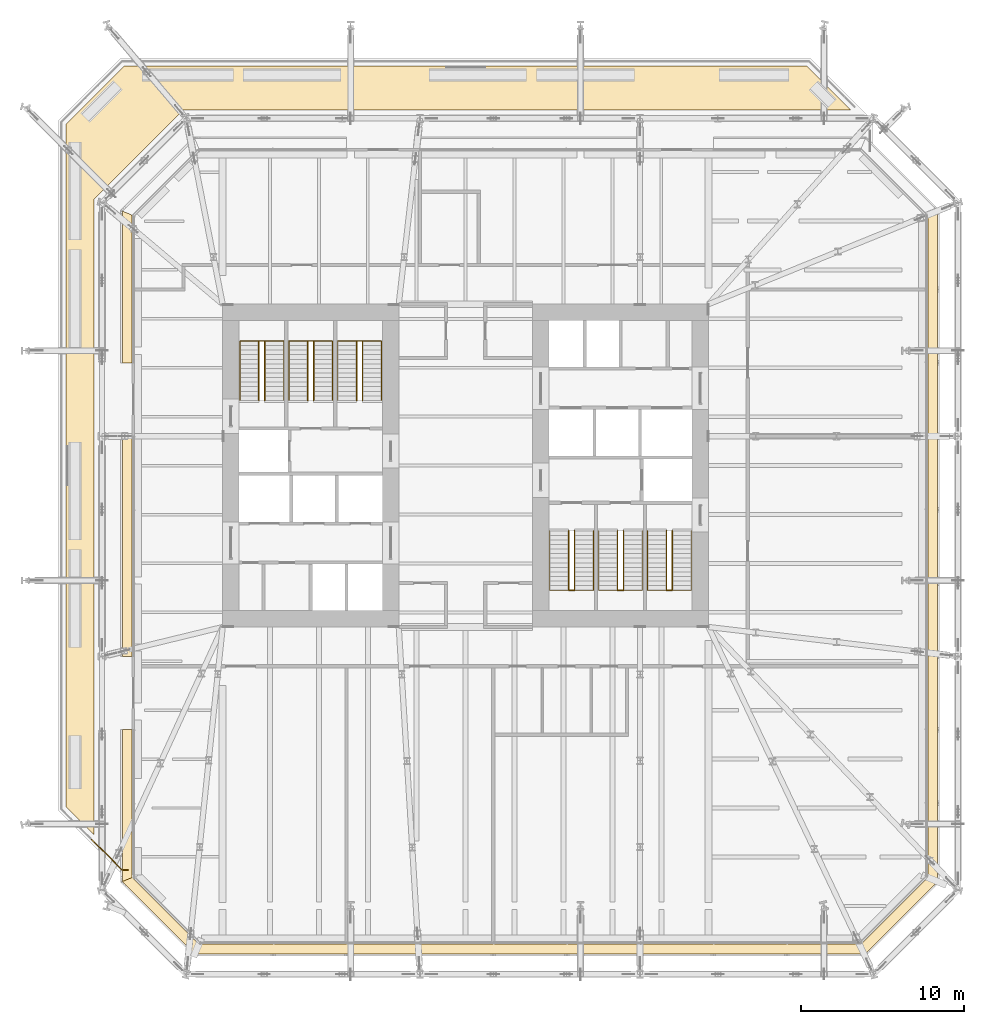
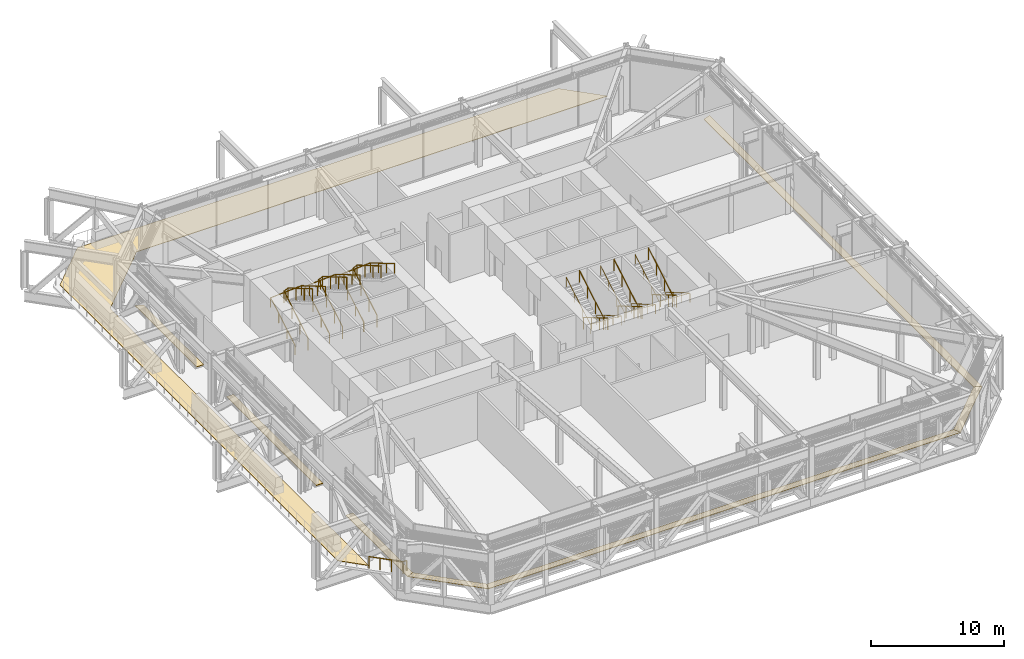
# One storey, part 27 of 29: 13 railings, 8 coverings.
"""IFC4 building model written with IfcOpenShell, lengths in metres."""

from ifc_helpers import new_model, si_unit, direction, frame, origin, origin_2d, place, context, subcontext, project, spatial, polyline, circle, outline, extrude, material, layer, layer_set, type_object, element, save


model = new_model("IFC4")

# Units and contexts
model_context = context("Model", 3, precision=1e-05, world=origin(), true_north=direction((0.0, 1.0)))
body_context = subcontext(model_context, "Body", "Model", "MODEL_VIEW")
ifc_project = project(units=[si_unit("LENGTHUNIT", "METRE"), si_unit("AREAUNIT", "SQUARE_METRE"), si_unit("VOLUMEUNIT", "CUBIC_METRE"), si_unit("PLANEANGLEUNIT", "RADIAN"), si_unit("MASSUNIT", "GRAM", prefix="KILO")], contexts=[model_context])

# Site, building, storey
site_placement = place(None, origin())
site = spatial("IfcSite", under=ifc_project, at=site_placement, CompositionType="ELEMENT")
building_placement = place(site_placement, origin())
building = spatial("IfcBuilding", under=site, at=building_placement, Name="Millrace Tower", CompositionType="ELEMENT")
storey_placement = place(building_placement, frame((0.0, 0.0, 68.60009765625)))
storey = spatial("IfcBuildingStorey", under=building, at=storey_placement, Name="L15", CompositionType="ELEMENT", Elevation=68.60009765625)

# Coverings
ifc_material_1 = material(Name="Steel ASTM A36", Category="steel")
ifc_layer_1 = layer(ifc_material_1, 0.050048828125)
ifc_layer_set_1 = layer_set([ifc_layer_1], Name="Steel ASTM A36")
covering_type_1 = type_object("IfcCoveringType", Name="CAVITY CATWALK steel grating", PredefinedType="FLOORING", material=ifc_layer_set_1)
placement = place(storey_placement, frame((0.0, 0.0, 0.099853515625)))
element("IfcCovering", 1, at=placement, inside=storey, type_object=covering_type_1, Name="Cavity catwalk grating B-F01 L15 1", PredefinedType="FLOORING", context=body_context, shape_type="SweptSolid", body=[
    extrude(outline(polyline([(-21.050048828125, -25.5107421875), (-16.610595703125, -29.949951171875), (-16.362060546875, -29.35009765625), (-20.449951171875, -25.26220703125), (-21.050048828125, -25.5107421875)])), origin(), (0.0, 0.0, 1.0), 0.050048828125),
])
element("IfcCovering", 2, at=placement, inside=storey, type_object=covering_type_1, Name="Cavity catwalk grating B-F02 L15 1", PredefinedType="FLOORING", context=body_context, shape_type="SweptSolid", body=[
    extrude(outline(polyline([(-16.610595703125, -29.949951171875), (24.5107421875, -29.949951171875), (24.26220703125, -29.35009765625), (-16.362060546875, -29.35009765625), (-16.610595703125, -29.949951171875)])), origin(), (0.0, 0.0, 1.0), 0.050048828125),
])
element("IfcCovering", 3, at=placement, inside=storey, type_object=covering_type_1, Name="Cavity catwalk grating B-F03 L15 1", PredefinedType="FLOORING", context=body_context, shape_type="SweptSolid", body=[
    extrude(outline(polyline([(24.5107421875, -29.949951171875), (28.949951171875, -25.5107421875), (28.35009765625, -25.26220703125), (24.26220703125, -29.35009765625), (24.5107421875, -29.949951171875)])), origin(), (0.0, 0.0, 1.0), 0.050048828125),
])
element("IfcCovering", 4, at=placement, inside=storey, type_object=covering_type_1, Name="Cavity catwalk grating B-F04 L15 1", PredefinedType="FLOORING", context=body_context, shape_type="SweptSolid", body=[
    extrude(outline(polyline([(28.949951171875, -25.5107421875), (28.949951171875, 15.610595703125), (28.35009765625, 15.362060546875), (28.35009765625, -25.26220703125), (28.949951171875, -25.5107421875)])), origin(), (0.0, 0.0, 1.0), 0.050048828125),
])
element("IfcCovering", 5, at=placement, inside=storey, type_object=covering_type_1, Name="Cavity catwalk grating B-F08 L15 1", PredefinedType="FLOORING", context=body_context, shape_type="SweptSolid", body=[
    extrude(outline(polyline([(-21.050048828125, 15.610595703125), (-21.050048828125, 6.300048828125), (-20.449951171875, 6.300048828125), (-20.449951171875, 15.362060546875), (-21.050048828125, 15.610595703125)])), origin(), (0.0, 0.0, 1.0), 0.050048828125),
])
element("IfcCovering", 6, at=placement, inside=storey, type_object=covering_type_1, Name="Cavity catwalk grating B-F08 L15 2", PredefinedType="FLOORING", context=body_context, shape_type="SweptSolid", body=[
    extrude(outline(polyline([(-21.050048828125, 1.800048828125), (-21.050048828125, -11.699951171875), (-20.449951171875, -11.699951171875), (-20.449951171875, 1.800048828125), (-21.050048828125, 1.800048828125)])), origin(), (0.0, 0.0, 1.0), 0.050048828125),
])
element("IfcCovering", 7, at=placement, inside=storey, type_object=covering_type_1, Name="Cavity catwalk grating B-F08 L15 3", PredefinedType="FLOORING", context=body_context, shape_type="SweptSolid", body=[
    extrude(outline(polyline([(-21.050048828125, -16.199951171875), (-21.050048828125, -25.5107421875), (-20.449951171875, -25.26220703125), (-20.449951171875, -16.199951171875), (-21.050048828125, -16.199951171875)])), origin(), (0.0, 0.0, 1.0), 0.050048828125),
])
ifc_material_2 = material(Name="Bituminous roofing membrane on rigid insulation")
ifc_layer_2 = layer(ifc_material_2, 0.0400390625)
ifc_layer_set_2 = layer_set([ifc_layer_2], Name="Bituminous roofing membrane on rigid insulation")
covering_type_2 = type_object("IfcCoveringType", Name="Roofing membrane and insulation 40 mm", PredefinedType="ROOFING", material=ifc_layer_set_2)
covering_8_placement = place(storey_placement, origin())
element("IfcCovering", 8, at=covering_8_placement, inside=storey, type_object=covering_type_2, Name="Roofing membrane and insulation T-L14-1", PredefinedType="ROOFING", context=body_context, shape_type="SweptSolid", body=[
    extrude(outline(polyline([(-24.5, -20.94287109375), (-22.800048828125, -22.642822265625), (-22.800048828125, 16.33544921875), (-17.33544921875, 21.800048828125), (23.642822265625, 21.800048828125), (20.94287109375, 24.5), (-20.94287109375, 24.5), (-24.5, 20.94287109375), (-24.5, -20.94287109375)])), origin(), (0.0, 0.0, 1.0), 0.039794921875),
])

# Railings
ifc_material_3 = material(Name="Stainless steel ASTM A240 type 316", Category="steel")
railing_type_1 = type_object("IfcRailingType", Name="Stair guard 1100", PredefinedType="GUARDRAIL", material=ifc_material_3)
for number, where, name in (
    (9, (-12.679931640625, 4.0, 0.164306640625), "Stair guard 1 W L15"),
    (10, (-9.679931640625, 4.0, 0.164306640625), "Stair guard 2 W L15"),
    (11, (-6.679931640625, 4.0, 0.164306640625), "Stair guard 3 W L15"),
):
    element("IfcRailing", number, at=place(storey_placement, frame(where)), inside=storey, type_object=railing_type_1, Name=name, PredefinedType="GUARDRAIL", context=body_context, shape_type="SweptSolid", body=[
        extrude(circle(Radius=0.02392578125, at=origin_2d()), frame((0.0, 0.0, 1.076171875), z_axis=(0.0, 0.862515142463, 0.50603125301), x_axis=(-1.0, 0.0, 0.0)), (0.0, 0.0, 1.0), 4.219970703125),
        extrude(circle(Radius=0.02392578125, at=origin_2d()), frame((0.0, 3.639892578125, 3.21142578125), z_axis=(0.90966772904, 0.0, 0.415336758239), x_axis=(0.0, 1.0, 0.0)), (0.0, 0.0, 1.0), 0.3955078125),
        extrude(circle(Radius=0.02392578125, at=origin_2d()), frame((0.35986328125, 3.639892578125, 3.3759765625), z_axis=(0.0, -0.862489892076, 0.506074289079), x_axis=(1.0, 0.0, 0.0)), (0.0, 0.0, 1.0), 4.22021484375),
        extrude(circle(Radius=0.02099609375, at=origin_2d()), origin(), (0.0, 0.0, 1.0), 1.052001953125),
        extrude(circle(Radius=0.02099609375, at=origin_2d()), frame((0.0, 1.21337890625, 0.7119140625)), (0.0, 0.0, 1.0), 1.052001953125),
        extrude(circle(Radius=0.02099609375, at=origin_2d()), frame((0.0, 2.426513671875, 1.423583984375)), (0.0, 0.0, 1.0), 1.052001953125),
        extrude(circle(Radius=0.02099609375, at=origin_2d()), frame((0.0, 3.639892578125, 2.135498046875)), (0.0, 0.0, 1.0), 1.052001953125),
        extrude(circle(Radius=0.02099609375, at=origin_2d()), frame((0.35986328125, 3.639892578125, 2.2998046875)), (0.0, 0.0, 1.0), 1.052001953125),
        extrude(circle(Radius=0.02099609375, at=origin_2d()), frame((0.35986328125, 2.426513671875, 3.01171875)), (0.0, 0.0, 1.0), 1.052001953125),
        extrude(circle(Radius=0.02099609375, at=origin_2d()), frame((0.35986328125, 1.21337890625, 3.7236328125)), (0.0, 0.0, 1.0), 1.052001953125),
        extrude(circle(Radius=0.02099609375, at=origin_2d()), frame((0.35986328125, 0.0, 4.435546875)), (0.0, 0.0, 1.0), 1.052001953125),
    ])
for number, where, name in (
    (12, (12.679931640625, -4.0, 0.164306640625), "Stair guard 1 E L15"),
    (13, (9.679931640625, -4.0, 0.164306640625), "Stair guard 2 E L15"),
    (14, (6.679931640625, -4.0, 0.164306640625), "Stair guard 3 E L15"),
):
    element("IfcRailing", number, at=place(storey_placement, frame(where)), inside=storey, type_object=railing_type_1, Name=name, PredefinedType="GUARDRAIL", context=body_context, shape_type="SweptSolid", body=[
        extrude(circle(Radius=0.02392578125, at=origin_2d()), frame((0.0, 0.0, 1.076171875), z_axis=(0.0, -0.862515142463, 0.50603125301), x_axis=(1.0, 0.0, 0.0)), (0.0, 0.0, 1.0), 4.219970703125),
        extrude(circle(Radius=0.02392578125, at=origin_2d()), frame((0.0, -3.639892578125, 3.21142578125), z_axis=(-0.90966772904, 0.0, 0.415336758239), x_axis=(0.0, -1.0, 0.0)), (0.0, 0.0, 1.0), 0.3955078125),
        extrude(circle(Radius=0.02392578125, at=origin_2d()), frame((-0.35986328125, -3.639892578125, 3.3759765625), z_axis=(0.0, 0.862489892076, 0.506074289079), x_axis=(-1.0, 0.0, 0.0)), (0.0, 0.0, 1.0), 4.22021484375),
        extrude(circle(Radius=0.02099609375, at=origin_2d()), origin(), (0.0, 0.0, 1.0), 1.052001953125),
        extrude(circle(Radius=0.02099609375, at=origin_2d()), frame((0.0, -1.21337890625, 0.7119140625)), (0.0, 0.0, 1.0), 1.052001953125),
        extrude(circle(Radius=0.02099609375, at=origin_2d()), frame((0.0, -2.426513671875, 1.423583984375)), (0.0, 0.0, 1.0), 1.052001953125),
        extrude(circle(Radius=0.02099609375, at=origin_2d()), frame((0.0, -3.639892578125, 2.135498046875)), (0.0, 0.0, 1.0), 1.052001953125),
        extrude(circle(Radius=0.02099609375, at=origin_2d()), frame((-0.35986328125, -3.639892578125, 2.2998046875)), (0.0, 0.0, 1.0), 1.052001953125),
        extrude(circle(Radius=0.02099609375, at=origin_2d()), frame((-0.35986328125, -2.426513671875, 3.01171875)), (0.0, 0.0, 1.0), 1.052001953125),
        extrude(circle(Radius=0.02099609375, at=origin_2d()), frame((-0.35986328125, -1.21337890625, 3.7236328125)), (0.0, 0.0, 1.0), 1.052001953125),
        extrude(circle(Radius=0.02099609375, at=origin_2d()), frame((-0.35986328125, 0.0, 4.435546875)), (0.0, 0.0, 1.0), 1.052001953125),
    ])
ifc_material_4 = material(Name="Stainless steel ASTM A240 type 316", Category="steel")
railing_type_2 = type_object("IfcRailingType", Name="Stair handrail 900", PredefinedType="HANDRAIL", material=ifc_material_4)
railing_1_placement = place(storey_placement, frame((-13.840087890625, 4.0, 0.164306640625)))
element("IfcRailing", 15, at=railing_1_placement, inside=storey, type_object=railing_type_2, Name="Stair handrail 1 W L15", PredefinedType="HANDRAIL", context=body_context, shape_type="SweptSolid", body=[
    extrude(circle(Radius=0.02392578125, at=origin_2d()), frame((0.0, 0.0, 0.8759765625), z_axis=(0.0, 0.862515142463, 0.50603125301), x_axis=(-1.0, 0.0, 0.0)), (0.0, 0.0, 1.0), 4.219970703125),
    extrude(circle(Radius=0.02392578125, at=origin_2d()), frame((0.0, 3.639892578125, 3.01123046875), z_axis=(0.998126163697, 0.0, 0.061189552575), x_axis=(0.0, 1.0, 0.0)), (0.0, 0.0, 1.0), 2.685302734375),
    extrude(circle(Radius=0.02392578125, at=origin_2d()), frame((2.68017578125, 3.639892578125, 3.17578125), z_axis=(0.0, -0.862489892076, 0.506074289079), x_axis=(1.0, 0.0, 0.0)), (0.0, 0.0, 1.0), 4.22021484375),
    extrude(circle(Radius=0.02099609375, at=origin_2d()), origin(), (0.0, 0.0, 1.0), 0.851806640625),
    extrude(circle(Radius=0.02099609375, at=origin_2d()), frame((0.0, 1.21337890625, 0.7119140625)), (0.0, 0.0, 1.0), 0.851806640625),
    extrude(circle(Radius=0.02099609375, at=origin_2d()), frame((0.0, 2.426513671875, 1.423583984375)), (0.0, 0.0, 1.0), 0.851806640625),
    extrude(circle(Radius=0.02099609375, at=origin_2d()), frame((0.0, 3.639892578125, 2.135498046875)), (0.0, 0.0, 1.0), 0.851806640625),
    extrude(circle(Radius=0.02099609375, at=origin_2d()), frame((1.340087890625, 3.639892578125, 2.2177734375)), (0.0, 0.0, 1.0), 0.851806640625),
    extrude(circle(Radius=0.02099609375, at=origin_2d()), frame((2.68017578125, 3.639892578125, 2.2998046875)), (0.0, 0.0, 1.0), 0.851806640625),
    extrude(circle(Radius=0.02099609375, at=origin_2d()), frame((2.68017578125, 2.426513671875, 3.01171875)), (0.0, 0.0, 1.0), 0.851806640625),
    extrude(circle(Radius=0.02099609375, at=origin_2d()), frame((2.68017578125, 1.21337890625, 3.7236328125)), (0.0, 0.0, 1.0), 0.851806640625),
    extrude(circle(Radius=0.02099609375, at=origin_2d()), frame((2.68017578125, 0.0, 4.435546875)), (0.0, 0.0, 1.0), 0.851806640625),
])
railing_2_placement = place(storey_placement, frame((-10.840087890625, 4.0, 0.164306640625)))
element("IfcRailing", 16, at=railing_2_placement, inside=storey, type_object=railing_type_2, Name="Stair handrail 2 W L15", PredefinedType="HANDRAIL", context=body_context, shape_type="SweptSolid", body=[
    extrude(circle(Radius=0.02392578125, at=origin_2d()), frame((0.0, 0.0, 0.8759765625), z_axis=(0.0, 0.862515142463, 0.50603125301), x_axis=(-1.0, 0.0, 0.0)), (0.0, 0.0, 1.0), 4.219970703125),
    extrude(circle(Radius=0.02392578125, at=origin_2d()), frame((0.0, 3.639892578125, 3.01123046875), z_axis=(0.998126163697, 0.0, 0.061189552575), x_axis=(0.0, 1.0, 0.0)), (0.0, 0.0, 1.0), 2.685302734375),
    extrude(circle(Radius=0.02392578125, at=origin_2d()), frame((2.68017578125, 3.639892578125, 3.17578125), z_axis=(0.0, -0.862489892076, 0.506074289079), x_axis=(1.0, 0.0, 0.0)), (0.0, 0.0, 1.0), 4.22021484375),
    extrude(circle(Radius=0.02099609375, at=origin_2d()), origin(), (0.0, 0.0, 1.0), 0.851806640625),
    extrude(circle(Radius=0.02099609375, at=origin_2d()), frame((0.0, 1.21337890625, 0.7119140625)), (0.0, 0.0, 1.0), 0.851806640625),
    extrude(circle(Radius=0.02099609375, at=origin_2d()), frame((0.0, 2.426513671875, 1.423583984375)), (0.0, 0.0, 1.0), 0.851806640625),
    extrude(circle(Radius=0.02099609375, at=origin_2d()), frame((0.0, 3.639892578125, 2.135498046875)), (0.0, 0.0, 1.0), 0.851806640625),
    extrude(circle(Radius=0.02099609375, at=origin_2d()), frame((1.340087890625, 3.639892578125, 2.2177734375)), (0.0, 0.0, 1.0), 0.851806640625),
    extrude(circle(Radius=0.02099609375, at=origin_2d()), frame((2.68017578125, 3.639892578125, 2.2998046875)), (0.0, 0.0, 1.0), 0.851806640625),
    extrude(circle(Radius=0.02099609375, at=origin_2d()), frame((2.68017578125, 2.426513671875, 3.01171875)), (0.0, 0.0, 1.0), 0.851806640625),
    extrude(circle(Radius=0.02099609375, at=origin_2d()), frame((2.68017578125, 1.21337890625, 3.7236328125)), (0.0, 0.0, 1.0), 0.851806640625),
    extrude(circle(Radius=0.02099609375, at=origin_2d()), frame((2.68017578125, 0.0, 4.435546875)), (0.0, 0.0, 1.0), 0.851806640625),
])
railing_3_placement = place(storey_placement, frame((-7.840087890625, 4.0, 0.164306640625)))
element("IfcRailing", 17, at=railing_3_placement, inside=storey, type_object=railing_type_2, Name="Stair handrail 3 W L15", PredefinedType="HANDRAIL", context=body_context, shape_type="SweptSolid", body=[
    extrude(circle(Radius=0.02392578125, at=origin_2d()), frame((0.0, 0.0, 0.8759765625), z_axis=(0.0, 0.862515142463, 0.50603125301), x_axis=(-1.0, 0.0, 0.0)), (0.0, 0.0, 1.0), 4.219970703125),
    extrude(circle(Radius=0.02392578125, at=origin_2d()), frame((0.0, 3.639892578125, 3.01123046875), z_axis=(0.998126163697, 0.0, 0.061189552575), x_axis=(0.0, 1.0, 0.0)), (0.0, 0.0, 1.0), 2.685302734375),
    extrude(circle(Radius=0.02392578125, at=origin_2d()), frame((2.68017578125, 3.639892578125, 3.17578125), z_axis=(0.0, -0.862489892076, 0.506074289079), x_axis=(1.0, 0.0, 0.0)), (0.0, 0.0, 1.0), 4.22021484375),
    extrude(circle(Radius=0.02099609375, at=origin_2d()), origin(), (0.0, 0.0, 1.0), 0.851806640625),
    extrude(circle(Radius=0.02099609375, at=origin_2d()), frame((0.0, 1.21337890625, 0.7119140625)), (0.0, 0.0, 1.0), 0.851806640625),
    extrude(circle(Radius=0.02099609375, at=origin_2d()), frame((0.0, 2.426513671875, 1.423583984375)), (0.0, 0.0, 1.0), 0.851806640625),
    extrude(circle(Radius=0.02099609375, at=origin_2d()), frame((0.0, 3.639892578125, 2.135498046875)), (0.0, 0.0, 1.0), 0.851806640625),
    extrude(circle(Radius=0.02099609375, at=origin_2d()), frame((1.340087890625, 3.639892578125, 2.2177734375)), (0.0, 0.0, 1.0), 0.851806640625),
    extrude(circle(Radius=0.02099609375, at=origin_2d()), frame((2.68017578125, 3.639892578125, 2.2998046875)), (0.0, 0.0, 1.0), 0.851806640625),
    extrude(circle(Radius=0.02099609375, at=origin_2d()), frame((2.68017578125, 2.426513671875, 3.01171875)), (0.0, 0.0, 1.0), 0.851806640625),
    extrude(circle(Radius=0.02099609375, at=origin_2d()), frame((2.68017578125, 1.21337890625, 3.7236328125)), (0.0, 0.0, 1.0), 0.851806640625),
    extrude(circle(Radius=0.02099609375, at=origin_2d()), frame((2.68017578125, 0.0, 4.435546875)), (0.0, 0.0, 1.0), 0.851806640625),
])
railing_4_placement = place(storey_placement, frame((13.840087890625, -4.0, 0.164306640625)))
element("IfcRailing", 18, at=railing_4_placement, inside=storey, type_object=railing_type_2, Name="Stair handrail 1 E L15", PredefinedType="HANDRAIL", context=body_context, shape_type="SweptSolid", body=[
    extrude(circle(Radius=0.02392578125, at=origin_2d()), frame((0.0, 0.0, 0.8759765625), z_axis=(0.0, -0.862515142463, 0.50603125301), x_axis=(1.0, 0.0, 0.0)), (0.0, 0.0, 1.0), 4.219970703125),
    extrude(circle(Radius=0.02392578125, at=origin_2d()), frame((0.0, -3.639892578125, 3.01123046875), z_axis=(-0.998126163697, 0.0, 0.061189552575), x_axis=(0.0, -1.0, 0.0)), (0.0, 0.0, 1.0), 2.685302734375),
    extrude(circle(Radius=0.02392578125, at=origin_2d()), frame((-2.68017578125, -3.639892578125, 3.17578125), z_axis=(0.0, 0.862489892076, 0.506074289079), x_axis=(-1.0, 0.0, 0.0)), (0.0, 0.0, 1.0), 4.22021484375),
    extrude(circle(Radius=0.02099609375, at=origin_2d()), origin(), (0.0, 0.0, 1.0), 0.851806640625),
    extrude(circle(Radius=0.02099609375, at=origin_2d()), frame((0.0, -1.21337890625, 0.7119140625)), (0.0, 0.0, 1.0), 0.851806640625),
    extrude(circle(Radius=0.02099609375, at=origin_2d()), frame((0.0, -2.426513671875, 1.423583984375)), (0.0, 0.0, 1.0), 0.851806640625),
    extrude(circle(Radius=0.02099609375, at=origin_2d()), frame((0.0, -3.639892578125, 2.135498046875)), (0.0, 0.0, 1.0), 0.851806640625),
    extrude(circle(Radius=0.02099609375, at=origin_2d()), frame((-1.340087890625, -3.639892578125, 2.2177734375)), (0.0, 0.0, 1.0), 0.851806640625),
    extrude(circle(Radius=0.02099609375, at=origin_2d()), frame((-2.68017578125, -3.639892578125, 2.2998046875)), (0.0, 0.0, 1.0), 0.851806640625),
    extrude(circle(Radius=0.02099609375, at=origin_2d()), frame((-2.68017578125, -2.426513671875, 3.01171875)), (0.0, 0.0, 1.0), 0.851806640625),
    extrude(circle(Radius=0.02099609375, at=origin_2d()), frame((-2.68017578125, -1.21337890625, 3.7236328125)), (0.0, 0.0, 1.0), 0.851806640625),
    extrude(circle(Radius=0.02099609375, at=origin_2d()), frame((-2.68017578125, 0.0, 4.435546875)), (0.0, 0.0, 1.0), 0.851806640625),
])
railing_5_placement = place(storey_placement, frame((10.840087890625, -4.0, 0.164306640625)))
element("IfcRailing", 19, at=railing_5_placement, inside=storey, type_object=railing_type_2, Name="Stair handrail 2 E L15", PredefinedType="HANDRAIL", context=body_context, shape_type="SweptSolid", body=[
    extrude(circle(Radius=0.02392578125, at=origin_2d()), frame((0.0, 0.0, 0.8759765625), z_axis=(0.0, -0.862515142463, 0.50603125301), x_axis=(1.0, 0.0, 0.0)), (0.0, 0.0, 1.0), 4.219970703125),
    extrude(circle(Radius=0.02392578125, at=origin_2d()), frame((0.0, -3.639892578125, 3.01123046875), z_axis=(-0.998126163697, 0.0, 0.061189552575), x_axis=(0.0, -1.0, 0.0)), (0.0, 0.0, 1.0), 2.685302734375),
    extrude(circle(Radius=0.02392578125, at=origin_2d()), frame((-2.68017578125, -3.639892578125, 3.17578125), z_axis=(0.0, 0.862489892076, 0.506074289079), x_axis=(-1.0, 0.0, 0.0)), (0.0, 0.0, 1.0), 4.22021484375),
    extrude(circle(Radius=0.02099609375, at=origin_2d()), origin(), (0.0, 0.0, 1.0), 0.851806640625),
    extrude(circle(Radius=0.02099609375, at=origin_2d()), frame((0.0, -1.21337890625, 0.7119140625)), (0.0, 0.0, 1.0), 0.851806640625),
    extrude(circle(Radius=0.02099609375, at=origin_2d()), frame((0.0, -2.426513671875, 1.423583984375)), (0.0, 0.0, 1.0), 0.851806640625),
    extrude(circle(Radius=0.02099609375, at=origin_2d()), frame((0.0, -3.639892578125, 2.135498046875)), (0.0, 0.0, 1.0), 0.851806640625),
    extrude(circle(Radius=0.02099609375, at=origin_2d()), frame((-1.340087890625, -3.639892578125, 2.2177734375)), (0.0, 0.0, 1.0), 0.851806640625),
    extrude(circle(Radius=0.02099609375, at=origin_2d()), frame((-2.68017578125, -3.639892578125, 2.2998046875)), (0.0, 0.0, 1.0), 0.851806640625),
    extrude(circle(Radius=0.02099609375, at=origin_2d()), frame((-2.68017578125, -2.426513671875, 3.01171875)), (0.0, 0.0, 1.0), 0.851806640625),
    extrude(circle(Radius=0.02099609375, at=origin_2d()), frame((-2.68017578125, -1.21337890625, 3.7236328125)), (0.0, 0.0, 1.0), 0.851806640625),
    extrude(circle(Radius=0.02099609375, at=origin_2d()), frame((-2.68017578125, 0.0, 4.435546875)), (0.0, 0.0, 1.0), 0.851806640625),
])
railing_6_placement = place(storey_placement, frame((7.840087890625, -4.0, 0.164306640625)))
element("IfcRailing", 20, at=railing_6_placement, inside=storey, type_object=railing_type_2, Name="Stair handrail 3 E L15", PredefinedType="HANDRAIL", context=body_context, shape_type="SweptSolid", body=[
    extrude(circle(Radius=0.02392578125, at=origin_2d()), frame((0.0, 0.0, 0.8759765625), z_axis=(0.0, -0.862515142463, 0.50603125301), x_axis=(1.0, 0.0, 0.0)), (0.0, 0.0, 1.0), 4.219970703125),
    extrude(circle(Radius=0.02392578125, at=origin_2d()), frame((0.0, -3.639892578125, 3.01123046875), z_axis=(-0.998126163697, 0.0, 0.061189552575), x_axis=(0.0, -1.0, 0.0)), (0.0, 0.0, 1.0), 2.685302734375),
    extrude(circle(Radius=0.02392578125, at=origin_2d()), frame((-2.68017578125, -3.639892578125, 3.17578125), z_axis=(0.0, 0.862489892076, 0.506074289079), x_axis=(-1.0, 0.0, 0.0)), (0.0, 0.0, 1.0), 4.22021484375),
    extrude(circle(Radius=0.02099609375, at=origin_2d()), origin(), (0.0, 0.0, 1.0), 0.851806640625),
    extrude(circle(Radius=0.02099609375, at=origin_2d()), frame((0.0, -1.21337890625, 0.7119140625)), (0.0, 0.0, 1.0), 0.851806640625),
    extrude(circle(Radius=0.02099609375, at=origin_2d()), frame((0.0, -2.426513671875, 1.423583984375)), (0.0, 0.0, 1.0), 0.851806640625),
    extrude(circle(Radius=0.02099609375, at=origin_2d()), frame((0.0, -3.639892578125, 2.135498046875)), (0.0, 0.0, 1.0), 0.851806640625),
    extrude(circle(Radius=0.02099609375, at=origin_2d()), frame((-1.340087890625, -3.639892578125, 2.2177734375)), (0.0, 0.0, 1.0), 0.851806640625),
    extrude(circle(Radius=0.02099609375, at=origin_2d()), frame((-2.68017578125, -3.639892578125, 2.2998046875)), (0.0, 0.0, 1.0), 0.851806640625),
    extrude(circle(Radius=0.02099609375, at=origin_2d()), frame((-2.68017578125, -2.426513671875, 3.01171875)), (0.0, 0.0, 1.0), 0.851806640625),
    extrude(circle(Radius=0.02099609375, at=origin_2d()), frame((-2.68017578125, -1.21337890625, 3.7236328125)), (0.0, 0.0, 1.0), 0.851806640625),
    extrude(circle(Radius=0.02099609375, at=origin_2d()), frame((-2.68017578125, 0.0, 4.435546875)), (0.0, 0.0, 1.0), 0.851806640625),
])
ifc_material_5 = material(Name="Stainless steel ASTM A240 type 316", Category="steel")
railing_type_3 = type_object("IfcRailingType", Name="Terrace guard 1100", PredefinedType="GUARDRAIL", material=ifc_material_5)
railing_7_placement = place(storey_placement, frame((-20.72509765625, -24.800048828125, 0.0)))
element("IfcRailing", 21, at=railing_7_placement, inside=storey, type_object=railing_type_3, Name="Terrace guard L14 edge 1.1", PredefinedType="GUARDRAIL", context=body_context, shape_type="SweptSolid", body=[
    extrude(circle(Radius=0.02392578125, at=origin_2d()), frame((0.0, 0.0, 1.076171875), z_axis=(-1.0, 0.0, 0.0), x_axis=(0.0, -1.0, 0.0)), (0.0, 0.0, 1.0), 0.342041015625),
    extrude(circle(Radius=0.02392578125, at=origin_2d()), frame((-0.342041015625, 0.0, 1.076171875), z_axis=(-0.707106781187, 0.707106781187, 0.0), x_axis=(-0.707106781187, -0.707106781187, 0.0)), (0.0, 0.0, 1.0), 2.650634765625),
    extrude(circle(Radius=0.02099609375, at=origin_2d()), origin(), (0.0, 0.0, 1.0), 1.052001953125),
    extrude(circle(Radius=0.02099609375, at=origin_2d()), frame((-0.342041015625, 0.0, 0.0)), (0.0, 0.0, 1.0), 1.052001953125),
    extrude(circle(Radius=0.02099609375, at=origin_2d()), frame((-0.966796875, 0.624755859375, 0.0)), (0.0, 0.0, 1.0), 1.052001953125),
    extrude(circle(Radius=0.02099609375, at=origin_2d()), frame((-1.591552734375, 1.24951171875, 0.0)), (0.0, 0.0, 1.0), 1.052001953125),
    extrude(circle(Radius=0.02099609375, at=origin_2d()), frame((-2.21630859375, 1.874267578125, 0.0)), (0.0, 0.0, 1.0), 1.052001953125),
])

save(model, "model.ifc")
